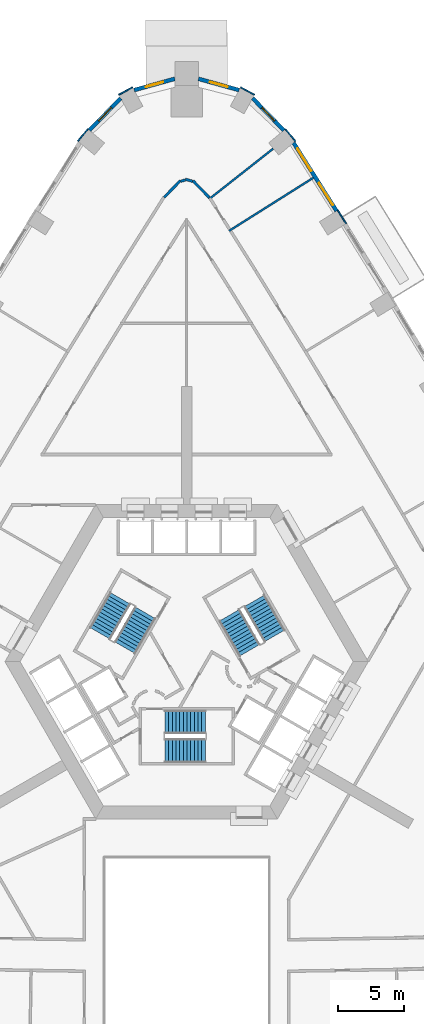
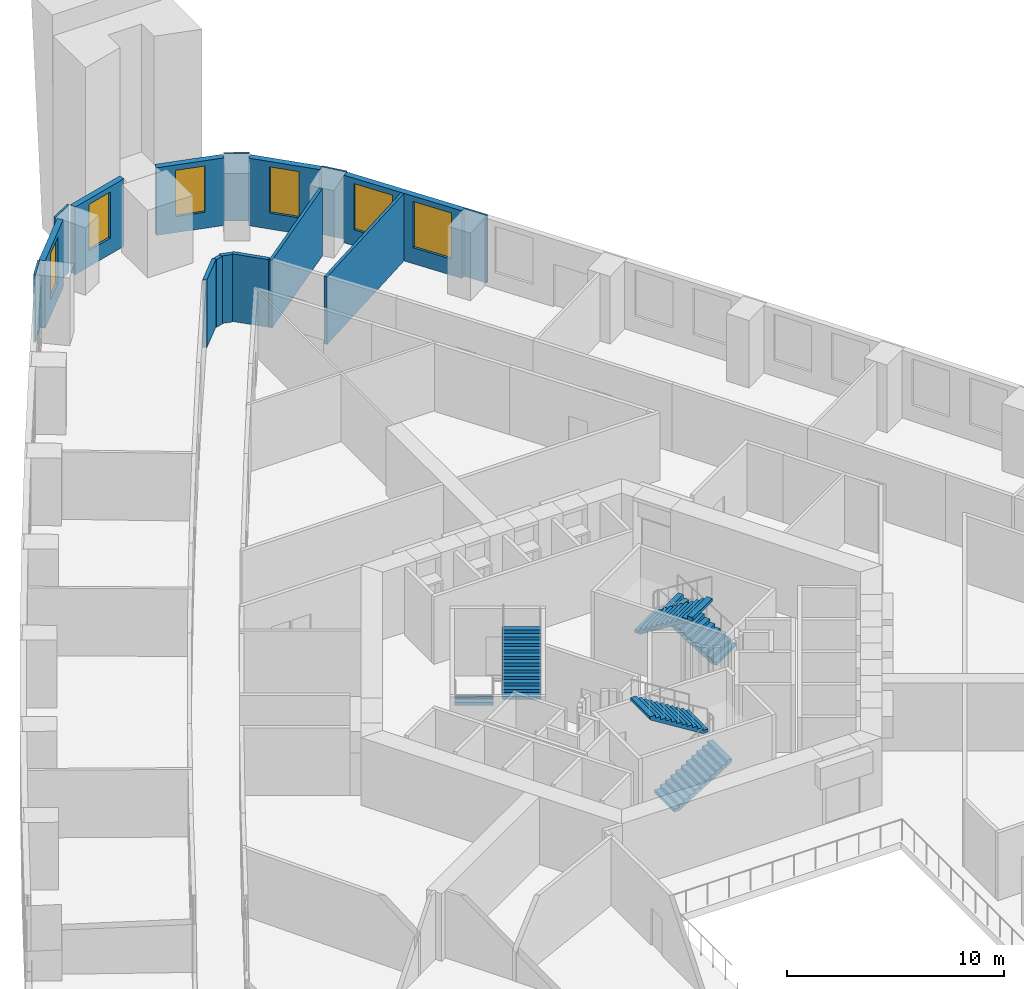
# One storey, part 12 of 16: 16 walls, 6 stair flights, 6 windows, 6 openings, 3 elements without a shape of their own.
"""IFC4 building model written with IfcOpenShell, lengths in metres."""

from ifc_helpers import new_model, si_unit, direction, frame, frame_2d, origin, place, context, subcontext, project, spatial, polyline, rectangle, outline, extrude, material, layer, layer_set, type_object, element, fill, aggregate, save


model = new_model("IFC4")

# Units and contexts
model_context = context("Model", 3, precision=1e-05, world=origin(), true_north=direction((0.0, 1.0)))
body_context = subcontext(model_context, "Body", "Model", "MODEL_VIEW")
ifc_project = project(units=[si_unit("LENGTHUNIT", "METRE"), si_unit("AREAUNIT", "SQUARE_METRE"), si_unit("VOLUMEUNIT", "CUBIC_METRE"), si_unit("PLANEANGLEUNIT", "RADIAN"), si_unit("MASSUNIT", "GRAM", prefix="KILO")], contexts=[model_context])

# Site, building, storey
site_placement = place(None, origin())
site = spatial("IfcSite", under=ifc_project, at=site_placement, CompositionType="ELEMENT")
building_placement = place(site_placement, origin())
building = spatial("IfcBuilding", under=site, at=building_placement, Name="Entoto Arch Interchange Tower", CompositionType="ELEMENT")
storey_placement = place(building_placement, frame((0.0, 0.0, 47.60009765625)))
storey = spatial("IfcBuildingStorey", under=building, at=storey_placement, Name="L09", CompositionType="ELEMENT", Elevation=47.60009765625)

# Walls
ifc_material_1 = material(Name="Gypsum board partition on steel studs", Category="steel")
ifc_layer_1 = layer(ifc_material_1, 0.14990234375)
ifc_layer_set_1 = layer_set([ifc_layer_1], Name="Gypsum board partition on steel studs")
wall_type_1 = type_object("IfcWallType", Name="PARTITION 150", PredefinedType="PARTITIONING", material=ifc_layer_set_1)
wall_1_placement = place(storey_placement, frame((3.235107421875, 35.35205078125, 0.0), z_axis=(0.0, 0.0, 1.0), x_axis=(0.845987036055, 0.533203464755, 0.0)))
element("IfcWall", 1, at=wall_1_placement, inside=storey, type_object=wall_type_1, Name="wall:L09:p138", PredefinedType="PARTITIONING", context=body_context, shape_type="SweptSolid", body=[
    extrude(rectangle(XDim=7.599365234375, YDim=0.14990234375, at=frame_2d((3.7998046875, 0.0))), origin(), (0.0, 0.0, 1.0), 3.7998046875),
])
wall_2_placement = place(storey_placement, frame((1.708984375, 37.77294921875, 0.0), z_axis=(0.0, 0.0, 1.0), x_axis=(0.785857956092, 0.618407044629, 0.0)))
element("IfcWall", 2, at=wall_2_placement, inside=storey, type_object=wall_type_1, Name="wall:L09:p139", PredefinedType="PARTITIONING", context=body_context, shape_type="SweptSolid", body=[
    extrude(rectangle(XDim=6.22265625, YDim=0.14990234375, at=frame_2d((3.111328125, 0.0))), origin(), (0.0, 0.0, 1.0), 3.7998046875),
])
ifc_layer_2 = layer(ifc_material_1, 0.199951171875)
ifc_layer_set_2 = layer_set([ifc_layer_2], Name="Gypsum board partition on steel studs")
wall_type_2 = type_object("IfcWallType", Name="PARTITION 200", PredefinedType="PARTITIONING", material=ifc_layer_set_2)
wall_3_placement = place(storey_placement, frame((-1.718017578125, 37.906005859375, 0.0), z_axis=(0.0, 0.0, 1.0), x_axis=(0.696949052806, 0.71712064382, 0.0)))
element("IfcWall", 3, at=wall_3_placement, inside=storey, type_object=wall_type_2, Name="wall:L09:p058", PredefinedType="PARTITIONING", context=body_context, shape_type="SweptSolid", body=[
    extrude(rectangle(XDim=1.779052734375, YDim=0.199951171875, at=frame_2d((0.8896484375, 0.0))), origin(), (0.0, 0.0, 1.0), 3.7998046875),
])
wall_4_placement = place(storey_placement, frame((-0.451904296875, 39.136962890625, 0.0), z_axis=(0.0, 0.0, 1.0), x_axis=(0.963347325023, 0.26825721122, 0.0)))
element("IfcWall", 4, at=wall_4_placement, inside=storey, type_object=wall_type_2, Name="wall:L09:p059", PredefinedType="PARTITIONING", context=body_context, shape_type="SweptSolid", body=[
    extrude(rectangle(XDim=0.369384765625, YDim=0.199951171875, at=frame_2d((0.1845703125, 0.0))), origin(), (0.0, 0.0, 1.0), 3.7998046875),
])
wall_5_placement = place(storey_placement, frame((-0.095947265625, 39.2900390625, 0.0), z_axis=(0.0, 0.0, 1.0), x_axis=(0.963110974003, -0.269104536854, 0.0)))
element("IfcWall", 5, at=wall_5_placement, inside=storey, type_object=wall_type_2, Name="wall:L09:p060", PredefinedType="PARTITIONING", context=body_context, shape_type="SweptSolid", body=[
    extrude(rectangle(XDim=0.56884765625, YDim=0.199951171875, at=frame_2d((0.284423828125, 0.0))), origin(), (0.0, 0.0, 1.0), 3.7998046875),
])
wall_6_placement = place(storey_placement, frame((0.47802734375, 39.181884765625, 0.0), z_axis=(0.0, 0.0, 1.0), x_axis=(0.696949052806, -0.71712064382, 0.0)))
element("IfcWall", 6, at=wall_6_placement, inside=storey, type_object=wall_type_2, Name="wall:L09:p061", PredefinedType="PARTITIONING", context=body_context, shape_type="SweptSolid", body=[
    extrude(rectangle(XDim=1.779052734375, YDim=0.199951171875, at=frame_2d((0.8896484375, 0.0))), origin(), (0.0, 0.0, 1.0), 3.7998046875),
])

# Wall, openings, windows
ifc_material_2 = material(Name="Welded tuff (ignimbrite) cladding, warm buff", Category="masonry")
ifc_layer_3 = layer(ifc_material_2, 0.300048828125)
ifc_layer_set_3 = layer_set([ifc_layer_3], Name="Welded tuff (ignimbrite) cladding, warm buff")
wall_type_3 = type_object("IfcWallType", Name="STONE INFILL WALL 300", PredefinedType="STANDARD", material=ifc_layer_set_3)
wall_7_placement = place(storey_placement, frame((11.43896484375, 36.868896484375, 0.0), z_axis=(0.0, 0.0, 1.0), x_axis=(-0.533075127321, 0.846067910177, 0.0)))
wall_7 = element("IfcWall", 7, at=wall_7_placement, inside=storey, type_object=wall_type_3, Name="Facade wall NE-09 L09", PredefinedType="STANDARD", context=body_context, shape_type="SweptSolid", body=[
    extrude(rectangle(XDim=6.15673828125, YDim=0.300048828125, at=frame_2d((3.078369140625, 0.0))), origin(), (0.0, 0.0, 1.0), 3.7998046875),
])
opening_1_placement = place(wall_7_placement, frame((0.5390625, 0.0, 0.89990234375)))
opening_1 = element("IfcOpeningElement", 8, at=opening_1_placement, cuts=wall_7, Name="Opening WO-C", PredefinedType="OPENING", context=body_context, shape_type="SweptSolid", body=[
    extrude(rectangle(XDim=2.0, YDim=2.60009765625, at=frame_2d((1.0, 1.300048828125))), frame((0.0, 0.16015625, 0.0), z_axis=(0.0, -1.0, 0.0), x_axis=(1.0, 0.0, 0.0)), (0.0, 0.0, 1.0), 0.320068359375),
])
opening_2_placement = place(wall_7_placement, frame((3.617919921875, 0.0, 0.89990234375)))
opening_2 = element("IfcOpeningElement", 9, at=opening_2_placement, cuts=wall_7, Name="Opening WO-C", PredefinedType="OPENING", context=body_context, shape_type="SweptSolid", body=[
    extrude(rectangle(XDim=2.0, YDim=2.60009765625, at=frame_2d((1.0, 1.300048828125))), frame((0.0, 0.16015625, 0.0), z_axis=(0.0, -1.0, 0.0), x_axis=(1.0, 0.0, 0.0)), (0.0, 0.0, 1.0), 0.320068359375),
])
ifc_material_3 = material(Name="Clear glass, low-e double glazed", Category="glass")
window_type_1 = type_object("IfcWindowType", Name="WINDOW WO-C 2000x2600", PartitioningType="DOUBLE_PANEL_VERTICAL", PredefinedType="WINDOW", material=ifc_material_3)
window_1_placement = place(opening_1_placement, origin())
window_1 = element("IfcWindow", 10, at=window_1_placement, inside=storey, type_object=window_type_1, Name="Window WO-C NE-09 L09", OverallHeight=2.60009765625, OverallWidth=2.0, PartitioningType="SINGLE_PANEL", PredefinedType="WINDOW", context=body_context, shape_type="SweptSolid", body=[
    extrude(rectangle(XDim=2.0, YDim=2.60009765625, at=frame_2d((1.0, 1.300048828125))), frame((0.0, 0.030029296875, 0.0), z_axis=(0.0, -1.0, 0.0), x_axis=(1.0, 0.0, 0.0)), (0.0, 0.0, 1.0), 0.06005859375),
])
fill(opening_1, window_1)
window_2_placement = place(opening_2_placement, origin())
window_2 = element("IfcWindow", 11, at=window_2_placement, inside=storey, type_object=window_type_1, Name="Window WO-C NE-09 L09", OverallHeight=2.60009765625, OverallWidth=2.0, PartitioningType="SINGLE_PANEL", PredefinedType="WINDOW", context=body_context, shape_type="SweptSolid", body=[
    extrude(rectangle(XDim=2.0, YDim=2.60009765625, at=frame_2d((1.0, 1.300048828125))), frame((0.0, 0.030029296875, 0.0), z_axis=(0.0, -1.0, 0.0), x_axis=(1.0, 0.0, 0.0)), (0.0, 0.0, 1.0), 0.06005859375),
])
fill(opening_2, window_2)

# Wall, opening, window
wall_8_placement = place(storey_placement, frame((7.416015625, 43.02001953125, 0.0), z_axis=(0.0, 0.0, 1.0), x_axis=(-0.696939827977, 0.717129609052, 0.0)))
wall_8 = element("IfcWall", 12, at=wall_8_placement, inside=storey, type_object=wall_type_3, Name="Facade wall N-01 L09", PredefinedType="STANDARD", context=body_context, shape_type="SweptSolid", body=[
    extrude(rectangle(XDim=3.422119140625, YDim=0.300048828125, at=frame_2d((1.7109375, 0.0))), origin(), (0.0, 0.0, 1.0), 3.7998046875),
])
opening_3_placement = place(wall_8_placement, frame((1.010986328125, 0.0, 0.89990234375)))
opening_3 = element("IfcOpeningElement", 13, at=opening_3_placement, cuts=wall_8, Name="Opening WO-B", PredefinedType="OPENING", context=body_context, shape_type="SweptSolid", body=[
    extrude(rectangle(XDim=1.39990234375, YDim=2.60009765625, at=frame_2d((0.699951171875, 1.300048828125))), frame((0.0, 0.16015625, 0.0), z_axis=(0.0, -1.0, 0.0), x_axis=(1.0, 0.0, 0.0)), (0.0, 0.0, 1.0), 0.320068359375),
])
window_type_2 = type_object("IfcWindowType", Name="WINDOW WO-B 1400x2600", PartitioningType="DOUBLE_PANEL_VERTICAL", PredefinedType="WINDOW", material=ifc_material_3)
window_3_placement = place(opening_3_placement, origin())
window_3 = element("IfcWindow", 14, at=window_3_placement, inside=storey, type_object=window_type_2, Name="Window WO-B N-01 L09", OverallHeight=2.60009765625, OverallWidth=1.39990234375, PartitioningType="SINGLE_PANEL", PredefinedType="WINDOW", context=body_context, shape_type="SweptSolid", body=[
    extrude(rectangle(XDim=1.39990234375, YDim=2.60009765625, at=frame_2d((0.699951171875, 1.300048828125))), frame((0.0, 0.030029296875, 0.0), z_axis=(0.0, -1.0, 0.0), x_axis=(1.0, 0.0, 0.0)), (0.0, 0.0, 1.0), 0.06005859375),
])
fill(opening_3, window_3)

wall_9_placement = place(storey_placement, frame((4.0029296875, 46.091064453125, 0.0), z_axis=(0.0, 0.0, 1.0), x_axis=(-0.96355047552, 0.267526598913, 0.0)))
wall_9 = element("IfcWall", 15, at=wall_9_placement, inside=storey, type_object=wall_type_3, Name="Facade wall N-02 L09", PredefinedType="STANDARD", context=body_context, shape_type="SweptSolid", body=[
    extrude(rectangle(XDim=3.221435546875, YDim=0.300048828125, at=frame_2d((1.61083984375, 0.0))), origin(), (0.0, 0.0, 1.0), 3.7998046875),
])
opening_4_placement = place(wall_9_placement, frame((0.910888671875, 0.0, 0.89990234375)))
opening_4 = element("IfcOpeningElement", 16, at=opening_4_placement, cuts=wall_9, Name="Opening WO-B", PredefinedType="OPENING", context=body_context, shape_type="SweptSolid", body=[
    extrude(rectangle(XDim=1.39990234375, YDim=2.60009765625, at=frame_2d((0.699951171875, 1.300048828125))), frame((0.0, 0.16015625, 0.0), z_axis=(0.0, -1.0, 0.0), x_axis=(1.0, 0.0, 0.0)), (0.0, 0.0, 1.0), 0.320068359375),
])
window_4_placement = place(opening_4_placement, origin())
window_4 = element("IfcWindow", 17, at=window_4_placement, inside=storey, type_object=window_type_2, Name="Window WO-B N-02 L09", OverallHeight=2.60009765625, OverallWidth=1.39990234375, PartitioningType="SINGLE_PANEL", PredefinedType="WINDOW", context=body_context, shape_type="SweptSolid", body=[
    extrude(rectangle(XDim=1.39990234375, YDim=2.60009765625, at=frame_2d((0.699951171875, 1.300048828125))), frame((0.0, 0.030029296875, 0.0), z_axis=(0.0, -1.0, 0.0), x_axis=(1.0, 0.0, 0.0)), (0.0, 0.0, 1.0), 0.06005859375),
])
fill(opening_4, window_4)

wall_10_placement = place(storey_placement, frame((-0.89892578125, 46.952880859375, 0.0), z_axis=(0.0, 0.0, 1.0), x_axis=(-0.96355047552, -0.267526598913, 0.0)))
wall_10 = element("IfcWall", 18, at=wall_10_placement, inside=storey, type_object=wall_type_3, Name="Facade wall N-03 L09", PredefinedType="STANDARD", context=body_context, shape_type="SweptSolid", body=[
    extrude(rectangle(XDim=3.221435546875, YDim=0.300048828125, at=frame_2d((1.61083984375, 0.0))), origin(), (0.0, 0.0, 1.0), 3.7998046875),
])
opening_5_placement = place(wall_10_placement, frame((0.910888671875, 0.0, 0.89990234375)))
opening_5 = element("IfcOpeningElement", 19, at=opening_5_placement, cuts=wall_10, Name="Opening WO-B", PredefinedType="OPENING", context=body_context, shape_type="SweptSolid", body=[
    extrude(rectangle(XDim=1.39990234375, YDim=2.60009765625, at=frame_2d((0.699951171875, 1.300048828125))), frame((0.0, 0.16015625, 0.0), z_axis=(0.0, -1.0, 0.0), x_axis=(1.0, 0.0, 0.0)), (0.0, 0.0, 1.0), 0.320068359375),
])
window_5_placement = place(opening_5_placement, origin())
window_5 = element("IfcWindow", 20, at=window_5_placement, inside=storey, type_object=window_type_2, Name="Window WO-B N-03 L09", OverallHeight=2.60009765625, OverallWidth=1.39990234375, PartitioningType="SINGLE_PANEL", PredefinedType="WINDOW", context=body_context, shape_type="SweptSolid", body=[
    extrude(rectangle(XDim=1.39990234375, YDim=2.60009765625, at=frame_2d((0.699951171875, 1.300048828125))), frame((0.0, 0.030029296875, 0.0), z_axis=(0.0, -1.0, 0.0), x_axis=(1.0, 0.0, 0.0)), (0.0, 0.0, 1.0), 0.06005859375),
])
fill(opening_5, window_5)

wall_11_placement = place(storey_placement, frame((-5.031005859375, 45.47412109375, 0.0), z_axis=(0.0, 0.0, 1.0), x_axis=(-0.696939827977, -0.717129609052, 0.0)))
wall_11 = element("IfcWall", 21, at=wall_11_placement, inside=storey, type_object=wall_type_3, Name="Facade wall N-04 L09", PredefinedType="STANDARD", context=body_context, shape_type="SweptSolid", body=[
    extrude(rectangle(XDim=3.422119140625, YDim=0.300048828125, at=frame_2d((1.7109375, 0.0))), origin(), (0.0, 0.0, 1.0), 3.7998046875),
])
opening_6_placement = place(wall_11_placement, frame((1.010986328125, 0.0, 0.89990234375)))
opening_6 = element("IfcOpeningElement", 22, at=opening_6_placement, cuts=wall_11, Name="Opening WO-B", PredefinedType="OPENING", context=body_context, shape_type="SweptSolid", body=[
    extrude(rectangle(XDim=1.39990234375, YDim=2.60009765625, at=frame_2d((0.699951171875, 1.300048828125))), frame((0.0, 0.16015625, 0.0), z_axis=(0.0, -1.0, 0.0), x_axis=(1.0, 0.0, 0.0)), (0.0, 0.0, 1.0), 0.320068359375),
])
window_6_placement = place(opening_6_placement, origin())
window_6 = element("IfcWindow", 23, at=window_6_placement, inside=storey, type_object=window_type_2, Name="Window WO-B N-04 L09", OverallHeight=2.60009765625, OverallWidth=1.39990234375, PartitioningType="SINGLE_PANEL", PredefinedType="WINDOW", context=body_context, shape_type="SweptSolid", body=[
    extrude(rectangle(XDim=1.39990234375, YDim=2.60009765625, at=frame_2d((0.699951171875, 1.300048828125))), frame((0.0, 0.030029296875, 0.0), z_axis=(0.0, -1.0, 0.0), x_axis=(1.0, 0.0, 0.0)), (0.0, 0.0, 1.0), 0.06005859375),
])
fill(opening_6, window_6)

# Walls
ifc_layer_4 = layer(ifc_material_2, 0.10009765625)
ifc_layer_set_4 = layer_set([ifc_layer_4], Name="Welded tuff (ignimbrite) cladding, warm buff")
wall_type_4 = type_object("IfcWallType", Name="STONE PIER CLADDING 100", PredefinedType="STANDARD", material=ifc_layer_set_4)
for number, where, z_axis, x_axis, name in (
    (24, (5.172119140625, 45.72900390625, 0.0), (0.0, 0.0, 1.0), (-0.877155474831, 0.480206489934, 0.0), "Stone pier N1 L09"),
    (25, (-4.1201171875, 46.304931640625, 0.0), (0.0, 0.0, 1.0), (-0.877155474831, -0.480206489934, 0.0), "Stone pier N3 L09"),
):
    element("IfcWall", number, at=place(storey_placement, frame(where, z_axis=z_axis, x_axis=x_axis)), inside=storey, type_object=wall_type_4, Name=name, PredefinedType="STANDARD", context=body_context, shape_type="SweptSolid", body=[
        extrude(rectangle(XDim=1.19921875, YDim=0.10009765625, at=frame_2d((0.599609375, 0.0))), origin(), (0.0, 0.0, 1.0), 3.7998046875),
    ])
wall_12_placement = place(storey_placement, frame((12.162109375, 35.906982421875, 0.0), z_axis=(0.0, 0.0, 1.0), x_axis=(-0.530328162925, 0.847792450785, 0.0)))
element("IfcWall", 26, at=wall_12_placement, inside=storey, type_object=wall_type_4, Name="Stone pier NE09 L09", PredefinedType="STANDARD", context=body_context, shape_type="SweptSolid", body=[
    extrude(rectangle(XDim=1.19970703125, YDim=0.10009765625, at=frame_2d((0.599853515625, 0.0))), origin(), (0.0, 0.0, 1.0), 3.7998046875),
])
for number, where, z_axis, x_axis, name in (
    (27, (8.294921875, 42.19091796875, 0.0), (0.0, 0.0, 1.0), (-0.637638520791, 0.770335716947, 0.0), "Stone pier NE10 L09"),
    (28, (-7.530029296875, 43.114990234375, 0.0), (0.0, 0.0, 1.0), (-0.637638520791, -0.770335716947, 0.0), "Stone pier NW01 L09"),
):
    element("IfcWall", number, at=place(storey_placement, frame(where, z_axis=z_axis, x_axis=x_axis)), inside=storey, type_object=wall_type_4, Name=name, PredefinedType="STANDARD", context=body_context, shape_type="SweptSolid", body=[
        extrude(rectangle(XDim=1.199462890625, YDim=0.10009765625, at=frame_2d((0.599609375, 0.0))), origin(), (0.0, 0.0, 1.0), 3.7998046875),
    ])

# Stair, stair flights
ifc_material_4 = material(Name="Concrete C40/50", Category="concrete")
stair_type = type_object("IfcStairType", Name="EXIT STAIR RC 1800", PredefinedType="HALF_TURN_STAIR", material=ifc_material_4)
stair_1_placement = place(storey_placement, origin())
stair_1 = element("IfcStair", 29, at=stair_1_placement, inside=storey, type_object=stair_type, Name="L09 Exit stair S", PredefinedType="HALF_TURN_STAIR")
stair_flight_type = type_object("IfcStairFlightType", Name="EXIT STAIR FLIGHT RC 1800", PredefinedType="STRAIGHT", material=ifc_material_4)
stair_flight_1_placement = place(storey_placement, frame((-1.64990234375, -4.300048828125, 0.0), z_axis=(0.0, 0.0, 1.0), x_axis=(1.0, 0.0, 0.0)))
stair_flight_1 = element("IfcStairFlight", 30, at=stair_flight_1_placement, type_object=stair_flight_type, Name="ST-S flight 1", NumberOfRisers=12, NumberOfTreads=11, PredefinedType="STRAIGHT", RiserHeight=0.175, TreadLength=0.28, context=body_context, shape_type="SweptSolid", body=[
    extrude(outline(polyline([(-0.0029296875, 0.0), (-0.0029296875, 0.175048828125), (0.280029296875, 0.175048828125), (0.280029296875, 0.35009765625), (0.56005859375, 0.35009765625), (0.56005859375, 0.52490234375), (0.840087890625, 0.52490234375), (0.840087890625, 0.699951171875), (1.1201171875, 0.699951171875), (1.1201171875, 0.875), (1.39990234375, 0.875), (1.39990234375, 1.050048828125), (1.679931640625, 1.050048828125), (1.679931640625, 1.22509765625), (1.9599609375, 1.22509765625), (1.9599609375, 1.39990234375), (2.239990234375, 1.39990234375), (2.239990234375, 1.574951171875), (2.52001953125, 1.574951171875), (2.52001953125, 1.75), (2.800048828125, 1.75), (2.800048828125, 1.925048828125), (3.080078125, 1.925048828125), (3.0830078125, 1.925048828125), (3.0830078125, 1.75), (0.28271484375, 0.0), (-0.0029296875, 0.0)])), frame((0.0, 0.89990234375, 0.0), z_axis=(0.0, -1.0, 0.0), x_axis=(1.0, 0.0, 0.0)), (0.0, 0.0, 1.0), 1.800048828125),
])
stair_flight_2_placement = place(storey_placement, frame((1.429931640625, -2.10009765625, 2.099853515625), z_axis=(0.0, 0.0, 1.0), x_axis=(-1.0, 0.0, 0.0)))
stair_flight_2 = element("IfcStairFlight", 31, at=stair_flight_2_placement, type_object=stair_flight_type, Name="ST-S flight 2", NumberOfRisers=12, NumberOfTreads=11, PredefinedType="STRAIGHT", RiserHeight=0.175, TreadLength=0.28, context=body_context, shape_type="SweptSolid", body=[
    extrude(outline(polyline([(-0.0029296875, 0.0), (-0.0029296875, 0.175048828125), (0.280029296875, 0.175048828125), (0.280029296875, 0.35009765625), (0.56005859375, 0.35009765625), (0.56005859375, 0.52490234375), (0.840087890625, 0.52490234375), (0.840087890625, 0.699951171875), (1.1201171875, 0.699951171875), (1.1201171875, 0.875), (1.39990234375, 0.875), (1.39990234375, 1.050048828125), (1.679931640625, 1.050048828125), (1.679931640625, 1.22509765625), (1.9599609375, 1.22509765625), (1.9599609375, 1.39990234375), (2.239990234375, 1.39990234375), (2.239990234375, 1.574951171875), (2.52001953125, 1.574951171875), (2.52001953125, 1.75), (2.800048828125, 1.75), (2.800048828125, 1.925048828125), (3.080078125, 1.925048828125), (3.0830078125, 1.925048828125), (3.0830078125, 1.75), (0.28271484375, 0.0), (-0.0029296875, 0.0)])), frame((0.0, 0.89990234375, 0.0), z_axis=(0.0, -1.0, 0.0), x_axis=(1.0, 0.0, 0.0)), (0.0, 0.0, 1.0), 1.800048828125),
])
aggregate(stair_1, [stair_flight_1, stair_flight_2])

stair_2_placement = place(storey_placement, origin())
stair_2 = element("IfcStair", 32, at=stair_2_placement, inside=storey, type_object=stair_type, Name="L09 Exit stair NE", PredefinedType="HALF_TURN_STAIR")
stair_flight_3_placement = place(storey_placement, frame((6.7138671875, 4.470947265625, 0.0), z_axis=(0.0, 0.0, 1.0), x_axis=(-0.5, 0.866025403784, 0.0)))
stair_flight_3 = element("IfcStairFlight", 33, at=stair_flight_3_placement, type_object=stair_flight_type, Name="ST-NE flight 1", NumberOfRisers=12, NumberOfTreads=11, PredefinedType="STRAIGHT", RiserHeight=0.175, TreadLength=0.28, context=body_context, shape_type="SweptSolid", body=[
    extrude(outline(polyline([(-0.0029296875, 0.0), (-0.0029296875, 0.175048828125), (0.280029296875, 0.175048828125), (0.280029296875, 0.35009765625), (0.56005859375, 0.35009765625), (0.56005859375, 0.52490234375), (0.840087890625, 0.52490234375), (0.840087890625, 0.699951171875), (1.1201171875, 0.699951171875), (1.1201171875, 0.875), (1.39990234375, 0.875), (1.39990234375, 1.050048828125), (1.679931640625, 1.050048828125), (1.679931640625, 1.22509765625), (1.9599609375, 1.22509765625), (1.9599609375, 1.39990234375), (2.239990234375, 1.39990234375), (2.239990234375, 1.574951171875), (2.52001953125, 1.574951171875), (2.52001953125, 1.75), (2.800048828125, 1.75), (2.800048828125, 1.925048828125), (3.080078125, 1.925048828125), (3.0830078125, 1.925048828125), (3.0830078125, 1.75), (0.28271484375, 0.0), (-0.0029296875, 0.0)])), frame((0.0, 0.89990234375, 0.0), z_axis=(0.0, -1.0, 0.0), x_axis=(1.0, 0.0, 0.0)), (0.0, 0.0, 1.0), 1.800048828125),
])
stair_flight_4_placement = place(storey_placement, frame((3.268798828125, 6.038330078125, 2.099853515625), z_axis=(0.0, 0.0, 1.0), x_axis=(0.5, -0.866025403784, 0.0)))
stair_flight_4 = element("IfcStairFlight", 34, at=stair_flight_4_placement, type_object=stair_flight_type, Name="ST-NE flight 2", NumberOfRisers=12, NumberOfTreads=11, PredefinedType="STRAIGHT", RiserHeight=0.175, TreadLength=0.28, context=body_context, shape_type="SweptSolid", body=[
    extrude(outline(polyline([(-0.0029296875, 0.0), (-0.0029296875, 0.175048828125), (0.280029296875, 0.175048828125), (0.280029296875, 0.35009765625), (0.56005859375, 0.35009765625), (0.56005859375, 0.52490234375), (0.840087890625, 0.52490234375), (0.840087890625, 0.699951171875), (1.1201171875, 0.699951171875), (1.1201171875, 0.875), (1.39990234375, 0.875), (1.39990234375, 1.050048828125), (1.679931640625, 1.050048828125), (1.679931640625, 1.22509765625), (1.9599609375, 1.22509765625), (1.9599609375, 1.39990234375), (2.239990234375, 1.39990234375), (2.239990234375, 1.574951171875), (2.52001953125, 1.574951171875), (2.52001953125, 1.75), (2.800048828125, 1.75), (2.800048828125, 1.925048828125), (3.080078125, 1.925048828125), (3.0830078125, 1.925048828125), (3.0830078125, 1.75), (0.28271484375, 0.0), (-0.0029296875, 0.0)])), frame((0.0, 0.89990234375, 0.0), z_axis=(0.0, -1.0, 0.0), x_axis=(1.0, 0.0, 0.0)), (0.0, 0.0, 1.0), 1.800048828125),
])
aggregate(stair_2, [stair_flight_3, stair_flight_4])

stair_3_placement = place(storey_placement, origin())
stair_3 = element("IfcStair", 35, at=stair_3_placement, inside=storey, type_object=stair_type, Name="L09 Exit stair NW", PredefinedType="HALF_TURN_STAIR")
stair_flight_5_placement = place(storey_placement, frame((-5.06396484375, 7.328857421875, 0.0), z_axis=(0.0, 0.0, 1.0), x_axis=(-0.5, -0.866025403784, 0.0)))
stair_flight_5 = element("IfcStairFlight", 36, at=stair_flight_5_placement, type_object=stair_flight_type, Name="ST-NW flight 1", NumberOfRisers=12, NumberOfTreads=11, PredefinedType="STRAIGHT", RiserHeight=0.175, TreadLength=0.28, context=body_context, shape_type="SweptSolid", body=[
    extrude(outline(polyline([(-0.0029296875, 0.0), (-0.0029296875, 0.175048828125), (0.280029296875, 0.175048828125), (0.280029296875, 0.35009765625), (0.56005859375, 0.35009765625), (0.56005859375, 0.52490234375), (0.840087890625, 0.52490234375), (0.840087890625, 0.699951171875), (1.1201171875, 0.699951171875), (1.1201171875, 0.875), (1.39990234375, 0.875), (1.39990234375, 1.050048828125), (1.679931640625, 1.050048828125), (1.679931640625, 1.22509765625), (1.9599609375, 1.22509765625), (1.9599609375, 1.39990234375), (2.239990234375, 1.39990234375), (2.239990234375, 1.574951171875), (2.52001953125, 1.574951171875), (2.52001953125, 1.75), (2.800048828125, 1.75), (2.800048828125, 1.925048828125), (3.080078125, 1.925048828125), (3.0830078125, 1.925048828125), (3.0830078125, 1.75), (0.28271484375, 0.0), (-0.0029296875, 0.0)])), frame((0.0, 0.89990234375, 0.0), z_axis=(0.0, -1.0, 0.0), x_axis=(1.0, 0.0, 0.0)), (0.0, 0.0, 1.0), 1.800048828125),
])
stair_flight_6_placement = place(storey_placement, frame((-4.69873046875, 3.5615234375, 2.099853515625), z_axis=(0.0, 0.0, 1.0), x_axis=(0.5, 0.866025403784, 0.0)))
stair_flight_6 = element("IfcStairFlight", 37, at=stair_flight_6_placement, type_object=stair_flight_type, Name="ST-NW flight 2", NumberOfRisers=12, NumberOfTreads=11, PredefinedType="STRAIGHT", RiserHeight=0.175, TreadLength=0.28, context=body_context, shape_type="SweptSolid", body=[
    extrude(outline(polyline([(-0.0029296875, 0.0), (-0.0029296875, 0.175048828125), (0.280029296875, 0.175048828125), (0.280029296875, 0.35009765625), (0.56005859375, 0.35009765625), (0.56005859375, 0.52490234375), (0.840087890625, 0.52490234375), (0.840087890625, 0.699951171875), (1.1201171875, 0.699951171875), (1.1201171875, 0.875), (1.39990234375, 0.875), (1.39990234375, 1.050048828125), (1.679931640625, 1.050048828125), (1.679931640625, 1.22509765625), (1.9599609375, 1.22509765625), (1.9599609375, 1.39990234375), (2.239990234375, 1.39990234375), (2.239990234375, 1.574951171875), (2.52001953125, 1.574951171875), (2.52001953125, 1.75), (2.800048828125, 1.75), (2.800048828125, 1.925048828125), (3.080078125, 1.925048828125), (3.0830078125, 1.925048828125), (3.0830078125, 1.75), (0.28271484375, 0.0), (-0.0029296875, 0.0)])), frame((0.0, 0.89990234375, 0.0), z_axis=(0.0, -1.0, 0.0), x_axis=(1.0, 0.0, 0.0)), (0.0, 0.0, 1.0), 1.800048828125),
])
aggregate(stair_3, [stair_flight_5, stair_flight_6])

save(model, "model.ifc")
